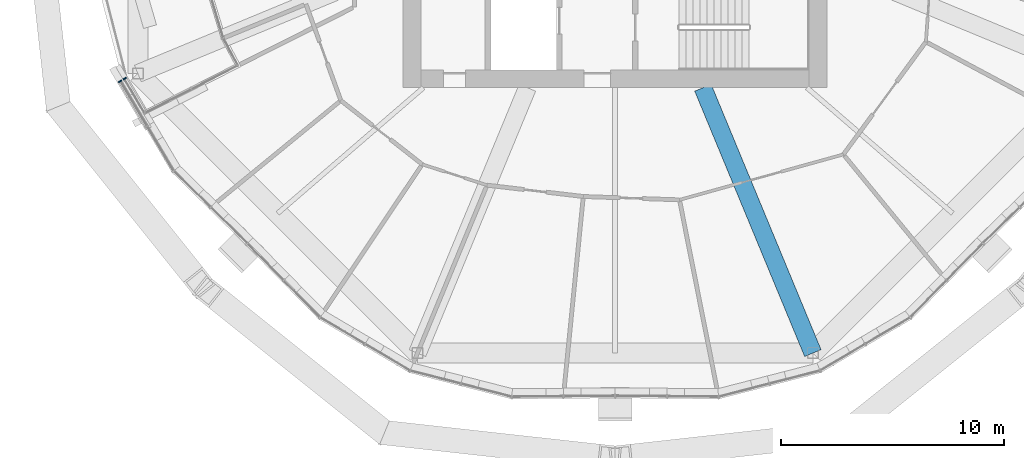
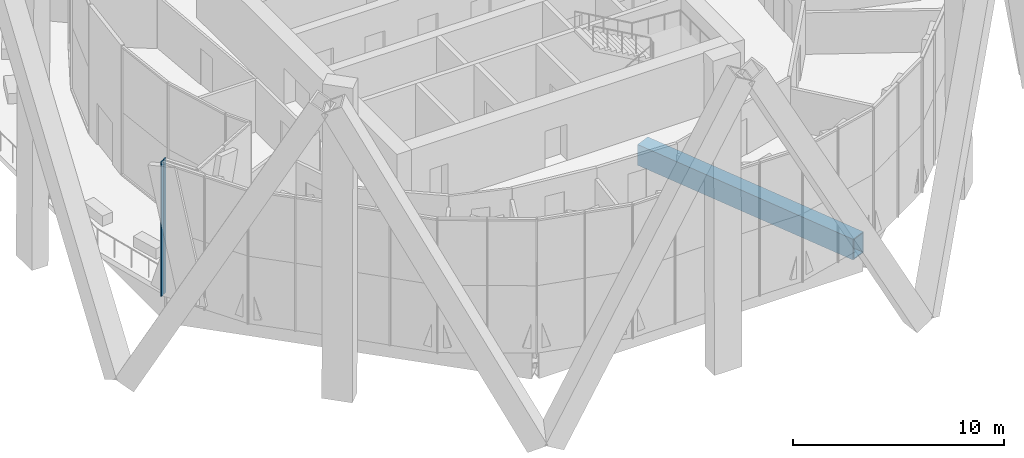
# One storey, part 4 of 30: 2 members, 1 beam, 2 elements without a shape of their own.
"""IFC4 building model written with IfcOpenShell, lengths in metres."""

import ifcopenshell
import ifcopenshell.guid

model = None  # the IFC model being written
_history = None  # IfcOwnerHistory: only IFC2X3 demands one
_inside = {}  # id of a spatial element -> (the spatial element, [elements in it])
_under = {}  # id of a project, library or spatial element -> (it, [spatial elements below it])
_declared = {}  # id of a project -> (the project, [libraries it declares])
_typed = {}  # id of a type object -> (the type object, [elements of that type])
_made_of = {}  # id of a material, layer set ... -> (it, [elements and type objects made of it])


def new_model(schema):
    """Start an empty IFC model of exactly this schema.

    Asked for "IFC4X3", IfcOpenShell would pick the latest addendum, in which some entities
    have other attributes; the version numbers below select the first issue.
    IFC2X3 requires an IfcOwnerHistory on every rooted entity: one is made here for all.
    """
    global model, _history
    if schema == "IFC4X3":
        model = ifcopenshell.file(schema_version=(4, 3, 0, 0))
    else:
        model = ifcopenshell.file(schema=schema)
    _inside.clear()
    _under.clear()
    _declared.clear()
    _typed.clear()
    _made_of.clear()
    _history = None
    if model.schema == "IFC2X3":
        org = make("IfcOrganization", Name="unknown")
        user = make(
            "IfcPersonAndOrganization",
            ThePerson=make("IfcPerson", FamilyName="unknown"),
            TheOrganization=org,
        )
        app = make(
            "IfcApplication",
            ApplicationDeveloper=org,
            Version="unknown",
            ApplicationFullName="unknown",
            ApplicationIdentifier="unknown",
        )
        _history = make(
            "IfcOwnerHistory",
            OwningUser=user,
            OwningApplication=app,
            ChangeAction="ADDED",
            CreationDate=0,
        )
    return model


def make(cls, **values):
    """One entity of the class cls with the attributes given. An attribute that is None is left unset."""
    return model.create_entity(
        cls, **{name: value for name, value in values.items() if value is not None}
    )


def rooted(cls, **values):
    """An entity with a GlobalId (a new one), such as an element, a storey or a relation."""
    return make(cls, GlobalId=ifcopenshell.guid.new(), OwnerHistory=_history, **values)


def si_unit(unit_type, name, prefix=None):
    """IfcSIUnit, for example si_unit("LENGTHUNIT", "METRE", prefix="MILLI")."""
    return make("IfcSIUnit", UnitType=unit_type, Prefix=prefix, Name=name)


def assignment(units):
    """IfcUnitAssignment: the units of a project."""
    return None if units is None else make("IfcUnitAssignment", Units=units)


def point(xyz):
    """IfcCartesianPoint."""
    return None if xyz is None else make("IfcCartesianPoint", Coordinates=xyz)


def direction(xyz):
    """IfcDirection."""
    return None if xyz is None else make("IfcDirection", DirectionRatios=xyz)


def frame(location, z_axis=None, x_axis=None):
    """IfcAxis2Placement3D, a coordinate frame: its origin and axes. An axis left out is left unset."""
    return make(
        "IfcAxis2Placement3D",
        Location=point(location),
        Axis=direction(z_axis),
        RefDirection=direction(x_axis),
    )


def frame_2d(location, x_axis=None):
    """IfcAxis2Placement2D, a coordinate frame in the plane: its origin and x axis."""
    return make(
        "IfcAxis2Placement2D", Location=point(location), RefDirection=direction(x_axis)
    )


def origin():
    """The frame at (0, 0, 0) with its axes left unset."""
    return frame((0.0, 0.0, 0.0))


def origin_2d():
    """The frame at (0, 0) in the plane with its x axis left unset."""
    return frame_2d((0.0, 0.0))


def place(relative_to, where):
    """IfcLocalPlacement: puts the frame where relative to a parent placement (None: the world)."""
    return make(
        "IfcLocalPlacement", PlacementRelTo=relative_to, RelativePlacement=where
    )


def context(
    kind, dimensions, precision=None, world=None, true_north=None, identifier=None
):
    """IfcGeometricRepresentationContext, for example the 3D "Model" context."""
    return make(
        "IfcGeometricRepresentationContext",
        ContextIdentifier=identifier,
        ContextType=kind,
        CoordinateSpaceDimension=dimensions,
        Precision=precision,
        WorldCoordinateSystem=world,
        TrueNorth=true_north,
    )


def subcontext(parent, identifier, kind, view, scale=None):
    """IfcGeometricRepresentationSubContext, for example "Body" below "Model"."""
    return make(
        "IfcGeometricRepresentationSubContext",
        ContextIdentifier=identifier,
        ContextType=kind,
        ParentContext=parent,
        TargetScale=scale,
        TargetView=view,
    )


def project(units=None, contexts=None):
    """IfcProject with its units and contexts."""
    return rooted(
        "IfcProject",
        Name="project",
        RepresentationContexts=contexts,
        UnitsInContext=assignment(units),
    )


def spatial(cls, under=None, at=None, **own):
    """A site, building, storey or space (cls), placed at a placement, below another one or the project."""
    s = rooted(cls, ObjectPlacement=at, **own)
    if under is not None:
        _under.setdefault(under.id(), (under, []))[1].append(s)
    return s


def profile(cls, at=None, kind="AREA", **sizes):
    """A parametric profile (cls). Its sizes go by their IFC names, for example OverallWidth=200.0."""
    return make(cls, ProfileType=kind, Position=at, **sizes)


def rectangle(**sizes):
    """IfcRectangleProfileDef."""
    return profile("IfcRectangleProfileDef", **sizes)


def hollow_rectangle(**sizes):
    """IfcRectangleHollowProfileDef."""
    return profile("IfcRectangleHollowProfileDef", **sizes)


def extrude(swept, where, along, depth):
    """IfcExtrudedAreaSolid: the profile swept, set in the frame where, extruded along a direction by depth."""
    return make(
        "IfcExtrudedAreaSolid",
        SweptArea=swept,
        Position=where,
        ExtrudedDirection=direction(along),
        Depth=depth,
    )


def shape(context_of_items, identifier, shape_type, items):
    """IfcShapeRepresentation: the items that make up one representation, for example the "Body"."""
    return make(
        "IfcShapeRepresentation",
        ContextOfItems=context_of_items,
        RepresentationIdentifier=identifier,
        RepresentationType=shape_type,
        Items=items,
    )


def material(Name=None, Category=None):
    """IfcMaterial."""
    return make("IfcMaterial", Name=Name, Category=Category)


def material_profile(
    of_material, cross_section, Name=None, Category=None, Priority=None
):
    """IfcMaterialProfile: a cross section and its material."""
    return make(
        "IfcMaterialProfile",
        Name=Name,
        Material=of_material,
        Profile=cross_section,
        Priority=Priority,
        Category=Category,
    )


def profile_set(profiles, Name=None, composite=None):
    """IfcMaterialProfileSet."""
    return make(
        "IfcMaterialProfileSet",
        Name=Name,
        MaterialProfiles=profiles,
        CompositeProfile=composite,
    )


def made_of(thing, what):
    """Note that an element or type object is made of a material, layer set ...; save() writes the relation."""
    if what is not None:
        _made_of.setdefault(what.id(), (what, []))[1].append(thing)
    return thing


def type_object(cls, material=None, **own):
    """A type object (cls), such as IfcWallType, which elements share."""
    return made_of(rooted(cls, **own), material)


def element(
    cls,
    number,
    at=None,
    inside=None,
    cuts=None,
    type_object=None,
    material=None,
    context=None,
    identifier="Body",
    shape_type=None,
    held_by="IfcProductDefinitionShape",
    body=None,
    shapes=None,
    **own,
):
    """One element of the class cls, such as IfcWall. Its Tag is "e" and its number.

    at: its placement. inside: the storey or other place that contains it. cuts: it is an
    opening in that element (IfcRelVoidsElement). A single representation is given by context,
    identifier, shape_type and body (its items); several are given by shapes. held_by: the class
    of the entity that holds the representations. save() writes the other relations.
    """
    e = rooted(cls, Tag="e%d" % number, ObjectPlacement=at, **own)
    if body is not None:
        shapes = [shape(context, identifier, shape_type, body)]
    if shapes is not None:
        e.Representation = make(held_by, Representations=shapes)
    if inside is not None:
        _inside.setdefault(inside.id(), (inside, []))[1].append(e)
    if cuts is not None:
        rooted(
            "IfcRelVoidsElement", RelatingBuildingElement=cuts, RelatedOpeningElement=e
        )
    if type_object is not None:
        _typed.setdefault(type_object.id(), (type_object, []))[1].append(e)
    return made_of(e, material)


def aggregate(whole, parts):
    """IfcRelAggregates: a whole, such as a stair, and the parts it consists of."""
    return rooted("IfcRelAggregates", RelatingObject=whole, RelatedObjects=parts)


def save(model, path):
    """Write the relations noted so far, then the file.

    IfcRelAggregates (storeys below a building ...), IfcRelContainedInSpatialStructure (elements
    in a storey), IfcRelDefinesByType, IfcRelAssociatesMaterial and IfcRelDeclares: one each for
    every whole, place, type object, material and project.
    """
    for whole, parts in _under.values():
        aggregate(whole, parts)
    for where, things in _inside.values():
        rooted(
            "IfcRelContainedInSpatialStructure",
            RelatedElements=things,
            RelatingStructure=where,
        )
    for kind, things in _typed.values():
        rooted("IfcRelDefinesByType", RelatedObjects=things, RelatingType=kind)
    for what, things in _made_of.values():
        rooted("IfcRelAssociatesMaterial", RelatedObjects=things, RelatingMaterial=what)
    for by, libraries in _declared.values():
        rooted("IfcRelDeclares", RelatingContext=by, RelatedDefinitions=libraries)
    model.write(path)


model = new_model("IFC4")

# Units and contexts
model_context = context("Model", 3, precision=1e-05, world=origin(), true_north=direction((0.0, 1.0)))
body_context = subcontext(model_context, "Body", "Model", "MODEL_VIEW")
ifc_project = project(units=[si_unit("LENGTHUNIT", "METRE"), si_unit("AREAUNIT", "SQUARE_METRE"), si_unit("VOLUMEUNIT", "CUBIC_METRE"), si_unit("PLANEANGLEUNIT", "RADIAN"), si_unit("MASSUNIT", "GRAM", prefix="KILO")], contexts=[model_context])

# Site, building, storey
site_placement = place(None, origin())
site = spatial("IfcSite", under=ifc_project, at=site_placement, CompositionType="ELEMENT")
building_placement = place(site_placement, origin())
building = spatial("IfcBuilding", under=site, at=building_placement, Name="Ogive Gate Towers", CompositionType="ELEMENT")
storey_placement = place(building_placement, frame((0.0, 0.0, 99.60009765625)))
storey = spatial("IfcBuildingStorey", under=building, at=storey_placement, Name="L23", CompositionType="ELEMENT", Elevation=99.60009765625)

# Curtain wall, member
ifc_material_1 = material(Name="Pale metal aluminium", Category="aluminium")
curtain_wall_type = type_object("IfcCurtainWallType", Name="Tower unitised wall, low zone", PredefinedType="NOTDEFINED", material=ifc_material_1)
curtain_wall_1_placement = place(storey_placement, origin())
curtain_wall_1 = element("IfcCurtainWall", 1, at=curtain_wall_1_placement, inside=storey, type_object=curtain_wall_type, Name="CW1 T1 ECW07", PredefinedType="NOTDEFINED")
ifc_material_profile_1 = material_profile(ifc_material_1, rectangle(XDim=0.159912109375, YDim=0.06005859375, at=origin_2d()), Name="60 x 160 aluminium box")
ifc_profile_set_1 = profile_set([ifc_material_profile_1], Name="Pale metal aluminium")
member_type = type_object("IfcMemberType", Name="Tower unitised wall, low zone mullion 60 x 160", PredefinedType="MULLION", material=ifc_profile_set_1)
member_1_placement = place(storey_placement, frame((-58.193359375, -9.2109375, -0.300048828125), z_axis=(0.0, 0.0, 1.0), x_axis=(0.86103507103, 0.508545579527, 0.0)))
member_1 = element("IfcMember", 2, at=member_1_placement, type_object=member_type, Name="CW1 mullion", PredefinedType="MULLION", context=body_context, shape_type="SweptSolid", body=[
    extrude(rectangle(XDim=0.159912109375, YDim=0.06005859375, at=origin_2d()), origin(), (0.0, 0.0, 1.0), 7.800048828125),
])
aggregate(curtain_wall_1, [member_1])

curtain_wall_2_placement = place(storey_placement, origin())
curtain_wall_2 = element("IfcCurtainWall", 3, at=curtain_wall_2_placement, inside=storey, type_object=curtain_wall_type, Name="CW1 T1 ECW07b", PredefinedType="NOTDEFINED")
member_2_placement = place(storey_placement, frame((-57.98681640625, -9.0888671875, -0.300048828125), z_axis=(0.0, 0.0, 1.0), x_axis=(-0.861026195104, -0.508560607347, 0.0)))
member_2 = element("IfcMember", 4, at=member_2_placement, type_object=member_type, Name="CW1 mullion", PredefinedType="MULLION", context=body_context, shape_type="SweptSolid", body=[
    extrude(rectangle(XDim=0.159912109375, YDim=0.06005859375, at=origin_2d()), origin(), (0.0, 0.0, 1.0), 7.800048828125),
])
aggregate(curtain_wall_2, [member_2])

# Beam
ifc_material_2 = material(Name="Steel SM460", Category="steel")
ifc_material_profile_2 = material_profile(ifc_material_2, hollow_rectangle(XDim=0.800048828125, YDim=1.199951171875, WallThickness=0.050048828125, at=origin_2d()), Name="BX 1200x800x50")
ifc_profile_set_2 = profile_set([ifc_material_profile_2], Name="Steel SM460")
beam_type = type_object("IfcBeamType", Name="Transfer radial beam BX 1200x800x50", PredefinedType="BEAM", material=ifc_profile_set_2)
beam_placement = place(storey_placement, frame((-32.06494140625, -9.5, -0.900146484375), z_axis=(0.382689470177, -0.923877031545, 0.0), x_axis=(0.923877031545, 0.382689470177, 0.0)))
element("IfcBeam", 5, at=beam_placement, inside=storey, type_object=beam_type, Name="T1/L23/SBM005", PredefinedType="BEAM", context=body_context, shape_type="SweptSolid", body=[
    extrude(hollow_rectangle(XDim=0.800048828125, YDim=1.199951171875, WallThickness=0.050048828125, at=origin_2d()), origin(), (0.0, 0.0, 1.0), 12.877197265625),
])

save(model, "model.ifc")
